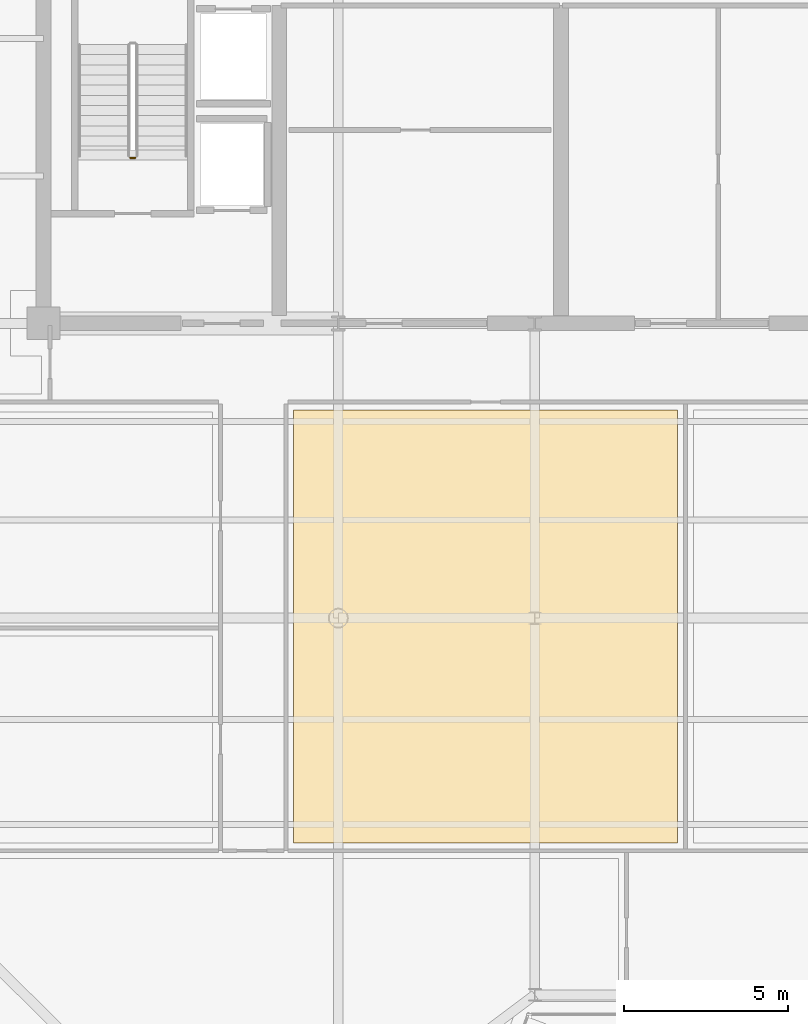
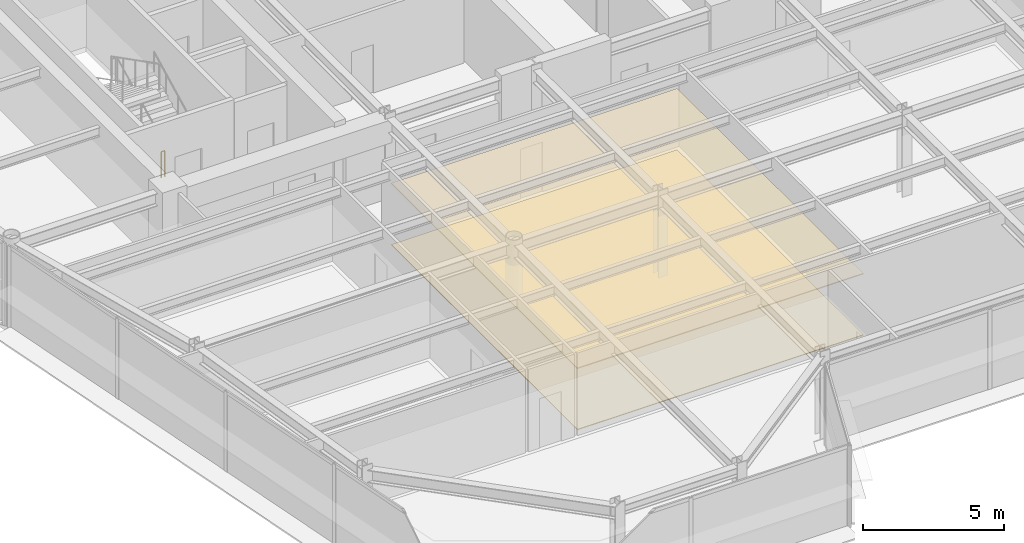
# One storey, part 14 of 19: 2 coverings, 1 railing.
"""IFC4 building model written with IfcOpenShell, lengths in metres."""

from ifc_helpers import new_model, si_unit, direction, frame, origin, origin_2d, place, context, subcontext, project, spatial, polyline, circle, outline, extrude, material, layer, layer_set, type_object, element, save


model = new_model("IFC4")

# Units and contexts
model_context = context("Model", 3, precision=1e-05, world=origin(), true_north=direction((0.0, 1.0)))
body_context = subcontext(model_context, "Body", "Model", "MODEL_VIEW")
ifc_project = project(units=[si_unit("LENGTHUNIT", "METRE"), si_unit("AREAUNIT", "SQUARE_METRE"), si_unit("VOLUMEUNIT", "CUBIC_METRE"), si_unit("PLANEANGLEUNIT", "RADIAN"), si_unit("MASSUNIT", "GRAM", prefix="KILO")], contexts=[model_context])

# Site, building, storey
site_placement = place(None, origin())
site = spatial("IfcSite", under=ifc_project, at=site_placement, CompositionType="ELEMENT")
building_placement = place(site_placement, origin())
building = spatial("IfcBuilding", under=site, at=building_placement, Name="Vaeldorn Concourse Tower", CompositionType="ELEMENT")
storey_placement = place(building_placement, frame((0.0, 0.0, 249.800048828125)))
storey = spatial("IfcBuildingStorey", under=building, at=storey_placement, Name="L64", CompositionType="ELEMENT", Elevation=249.800048828125)

# Coverings
ifc_material_1 = material(Name="Acoustic Mineral Fibre Board", Category="gypsum")
ifc_layer_1 = layer(ifc_material_1, 0.0400390625)
ifc_layer_set_1 = layer_set([ifc_layer_1], Name="Acoustic Mineral Fibre Board")
covering_type_1 = type_object("IfcCoveringType", Name="COV-CEIL-ACOUSTIC", PredefinedType="CEILING", material=ifc_layer_set_1)
covering_1_placement = place(storey_placement, frame((0.0, 0.0, 2.64990234375)))
element("IfcCovering", 1, at=covering_1_placement, inside=storey, type_object=covering_type_1, Name="Suspended Acoustic Ceiling L64-10", PredefinedType="CEILING", context=body_context, shape_type="SweptSolid", body=[
    extrude(outline(polyline([(21.639892578125, 33.860107421875), (33.360107421875, 33.860107421875), (33.360107421875, 20.639892578125), (21.639892578125, 20.639892578125), (21.639892578125, 33.860107421875)])), origin(), (0.0, 0.0, 1.0), 0.0400390625),
])
ifc_material_2 = material(Name="Honed Limestone Terrazzo Flooring", Category="masonry")
ifc_layer_2 = layer(ifc_material_2, 0.0400390625)
ifc_layer_set_2 = layer_set([ifc_layer_2], Name="Honed Limestone Terrazzo Flooring")
covering_type_2 = type_object("IfcCoveringType", Name="COV-FLOOR-STONE", PredefinedType="FLOORING", material=ifc_layer_set_2)
covering_2_placement = place(storey_placement, origin())
element("IfcCovering", 2, at=covering_2_placement, inside=storey, type_object=covering_type_2, Name="Floor Finish Covering L64-10", PredefinedType="FLOORING", context=body_context, shape_type="SweptSolid", body=[
    extrude(outline(polyline([(21.639892578125, 33.860107421875), (33.360107421875, 33.860107421875), (33.360107421875, 20.639892578125), (21.639892578125, 20.639892578125), (21.639892578125, 33.860107421875)])), origin(), (0.0, 0.0, 1.0), 0.030029296875),
])

# Railing
ifc_material_3 = material(Name="Anodised Bronze Aluminium", Category="aluminium")
railing_type = type_object("IfcRailingType", Name="RL-STAIR-GUARD", PredefinedType="GUARDRAIL", material=ifc_material_3)
railing_placement = place(storey_placement, frame((16.800048828125, 41.550048828125, 0.0)))
element("IfcRailing", 3, at=railing_placement, inside=storey, type_object=railing_type, Name="L64 ST-1 stair guard 4", PredefinedType="GUARDRAIL", context=body_context, shape_type="SweptSolid", body=[
    extrude(circle(Radius=0.02392578125, at=origin_2d()), frame((0.0, 0.0, 1.1259765625), z_axis=(-1.0, 0.0, 0.0), x_axis=(0.0, -1.0, 0.0)), (0.0, 0.0, 1.0), 0.150146484375),
    extrude(circle(Radius=0.02099609375, at=origin_2d()), origin(), (0.0, 0.0, 1.0), 1.101806640625),
    extrude(circle(Radius=0.02099609375, at=origin_2d()), frame((-0.150146484375, 0.0, 0.0)), (0.0, 0.0, 1.0), 1.101806640625),
])

save(model, "model.ifc")
